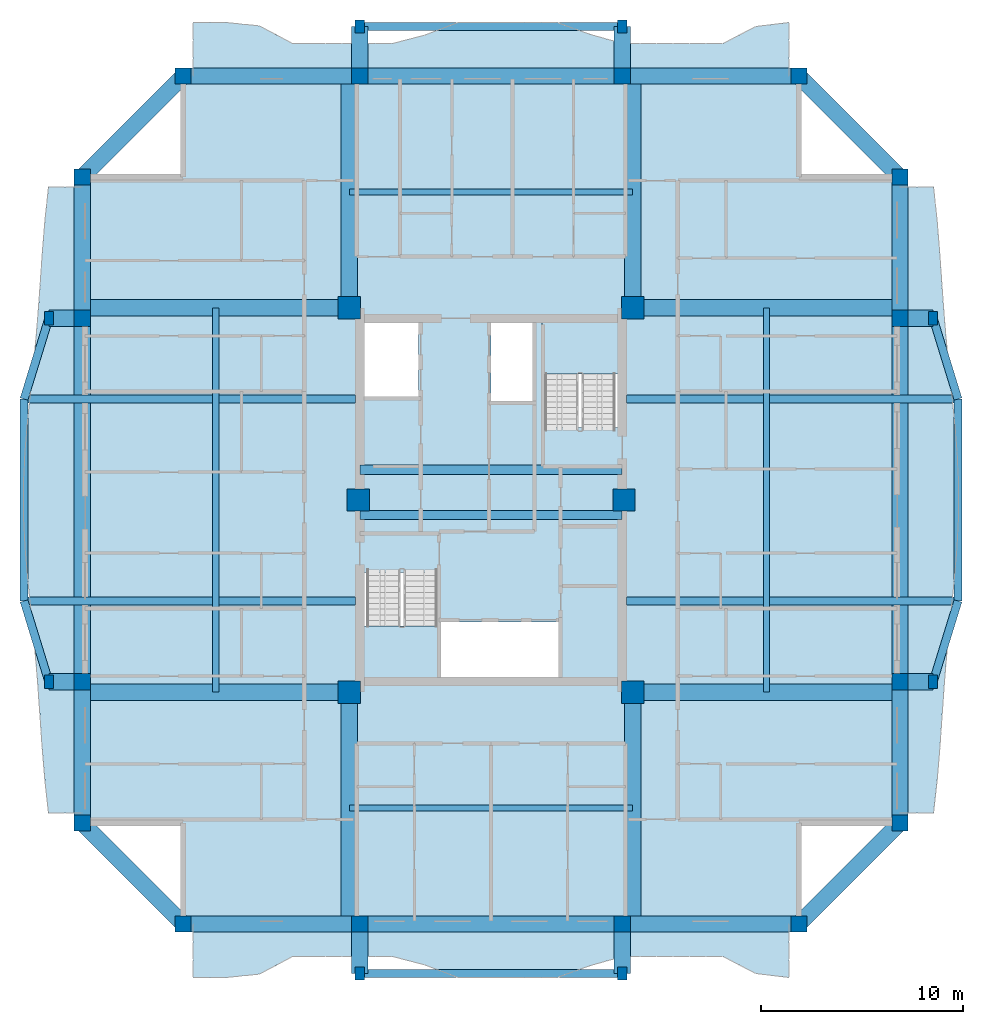
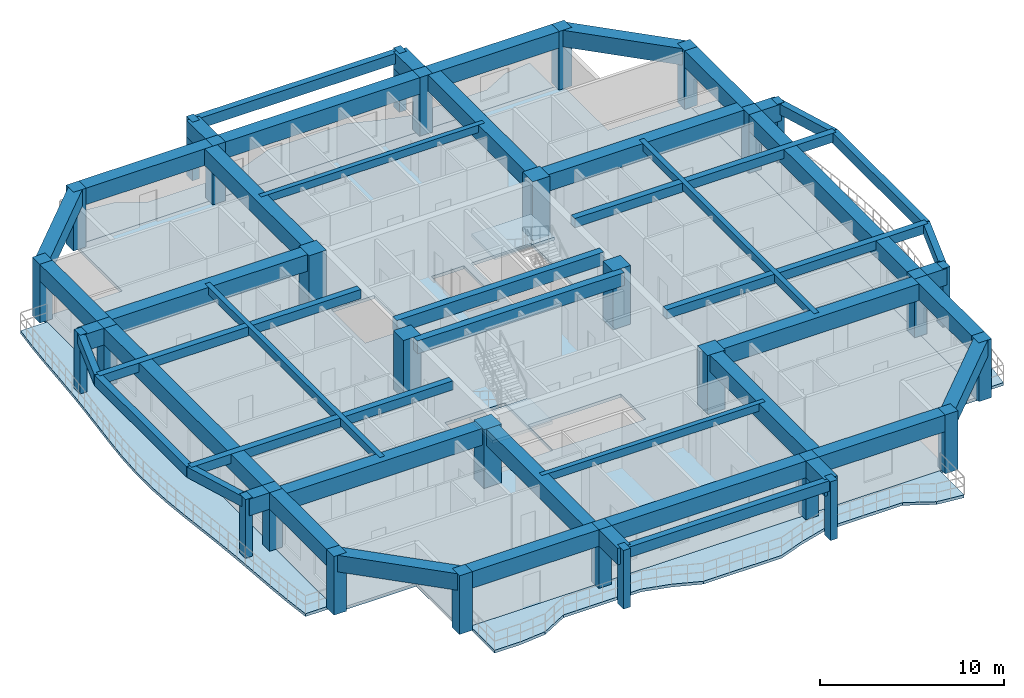
# One storey, part 1 of 13: 50 beams, 30 columns, 7 slabs, 2 elements without a shape of their own.
"""IFC4 building model written with IfcOpenShell, lengths in metres."""

from ifc_helpers import new_model, si_unit, direction, frame, origin, origin_2d, place, context, subcontext, project, spatial, polyline, rectangle, outline, extrude, source, transform, mapped, material, layer, layer_set, material_profile, profile_set, type_object, element, aggregate, save


model = new_model("IFC4")

# Units and contexts
model_context = context("Model", 3, precision=1e-05, world=origin(), true_north=direction((0.0, 1.0)))
body_context = subcontext(model_context, "Body", "Model", "MODEL_VIEW")
ifc_project = project(units=[si_unit("LENGTHUNIT", "METRE"), si_unit("AREAUNIT", "SQUARE_METRE"), si_unit("VOLUMEUNIT", "CUBIC_METRE"), si_unit("PLANEANGLEUNIT", "RADIAN"), si_unit("MASSUNIT", "GRAM", prefix="KILO")], contexts=[model_context])

# Site, building, storey
site_placement = place(None, origin())
site = spatial("IfcSite", under=ifc_project, at=site_placement, CompositionType="ELEMENT")
building_placement = place(site_placement, origin())
building = spatial("IfcBuilding", under=site, at=building_placement, Name="Saelheon Loggia Tower", CompositionType="ELEMENT")
storey_placement = place(building_placement, frame((0.0, 0.0, 172.89990234375)))
storey = spatial("IfcBuildingStorey", under=building, at=storey_placement, Name="L54", CompositionType="ELEMENT", Elevation=172.89990234375)

# Columns
ifc_material_1 = material(Name="Concrete C50/60", Category="concrete")
ifc_material_profile_1 = material_profile(ifc_material_1, rectangle(XDim=1.10009765625, YDim=1.10009765625, at=origin_2d()), Name="RC-1100x1100")
ifc_profile_set_1 = profile_set([ifc_material_profile_1], Name="Concrete C50/60")
column_type_1 = type_object("IfcColumnType", Name="Col_Core_RC1100", PredefinedType="COLUMN", material=ifc_profile_set_1)
shared_shape_1 = source(origin(), body_context, "Body", "SweptSolid", [
    extrude(rectangle(XDim=1.10009765625, YDim=1.10009765625, at=origin_2d()), origin(), (0.0, 0.0, 1.0), 3.900146484375),
])
for number, where, z_axis, x_axis, name in (
    (1, (30.97998046875, 17.47998046875, 0.0), (0.0, 0.0, 1.0), (1.0, 0.0, 0.0), "L54 Core Column CR-SW"),
    (2, (45.02001953125, 17.47998046875, 0.0), (0.0, 0.0, 1.0), (1.0, 0.0, 0.0), "L54 Core Column CR-SE"),
    (3, (30.97998046875, 36.52001953125, 0.0), (0.0, 0.0, 1.0), (1.0, 0.0, 0.0), "L54 Core Column CR-NW"),
    (4, (45.02001953125, 36.52001953125, 0.0), (0.0, 0.0, 1.0), (1.0, 0.0, 0.0), "L54 Core Column CR-NE"),
    (5, (31.419921875, 27.0, 0.0), (0.0, 0.0, 1.0), (1.0, 0.0, 0.0), "L54 Core Column CR-MW"),
    (6, (44.580078125, 27.0, 0.0), (0.0, 0.0, 1.0), (1.0, 0.0, 0.0), "L54 Core Column CR-ME"),
):
    element("IfcColumn", number, at=place(storey_placement, frame(where, z_axis=z_axis, x_axis=x_axis)), inside=storey, type_object=column_type_1, Name=name, PredefinedType="COLUMN", context=body_context, shape_type="MappedRepresentation", body=[
        mapped(shared_shape_1, transform((0.0, 0.0, 0.0), scale=1.0)),
    ])
ifc_material_2 = material(Name="Concrete C45/55", Category="concrete")
ifc_material_profile_2 = material_profile(ifc_material_2, rectangle(XDim=0.800048828125, YDim=0.800048828125, at=origin_2d()), Name="RC-800x800")
ifc_profile_set_2 = profile_set([ifc_material_profile_2], Name="Concrete C45/55")
column_type_2 = type_object("IfcColumnType", Name="Col_Perim_RC800", PredefinedType="COLUMN", material=ifc_profile_set_2)
shared_shape_2 = source(origin(), body_context, "Body", "SweptSolid", [
    extrude(rectangle(XDim=0.800048828125, YDim=0.800048828125, at=origin_2d()), origin(), (0.0, 0.0, 1.0), 3.900146484375),
])
for number, where, z_axis, x_axis, name in (
    (7, (22.75, 6.0, 0.0), (0.0, 0.0, 1.0), (1.0, 0.0, 0.0), "L54 Perimeter Column TP-S1"),
    (8, (31.5, 6.0, 0.0), (0.0, 0.0, 1.0), (1.0, 0.0, 0.0), "L54 Perimeter Column TP-SA"),
    (9, (44.5, 6.0, 0.0), (0.0, 0.0, 1.0), (1.0, 0.0, 0.0), "L54 Perimeter Column TP-SB"),
    (10, (53.25, 6.0, 0.0), (0.0, 0.0, 1.0), (1.0, 0.0, 0.0), "L54 Perimeter Column TP-S2"),
    (11, (58.25, 11.0, 0.0), (0.0, 0.0, 1.0), (1.0, 0.0, 0.0), "L54 Perimeter Column TP-E1"),
    (12, (58.25, 18.0, 0.0), (0.0, 0.0, 1.0), (1.0, 0.0, 0.0), "L54 Perimeter Column TP-EA"),
    (13, (58.25, 36.0, 0.0), (0.0, 0.0, 1.0), (1.0, 0.0, 0.0), "L54 Perimeter Column TP-EB"),
    (14, (58.25, 43.0, 0.0), (0.0, 0.0, 1.0), (1.0, 0.0, 0.0), "L54 Perimeter Column TP-E2"),
    (15, (53.25, 48.0, 0.0), (0.0, 0.0, 1.0), (1.0, 0.0, 0.0), "L54 Perimeter Column TP-N2"),
    (16, (44.5, 48.0, 0.0), (0.0, 0.0, 1.0), (1.0, 0.0, 0.0), "L54 Perimeter Column TP-NB"),
    (17, (31.5, 48.0, 0.0), (0.0, 0.0, 1.0), (1.0, 0.0, 0.0), "L54 Perimeter Column TP-NA"),
    (18, (22.75, 48.0, 0.0), (0.0, 0.0, 1.0), (1.0, 0.0, 0.0), "L54 Perimeter Column TP-N1"),
    (19, (17.75, 43.0, 0.0), (0.0, 0.0, 1.0), (1.0, 0.0, 0.0), "L54 Perimeter Column TP-W2"),
    (20, (17.75, 36.0, 0.0), (0.0, 0.0, 1.0), (1.0, 0.0, 0.0), "L54 Perimeter Column TP-WB"),
    (21, (17.75, 18.0, 0.0), (0.0, 0.0, 1.0), (1.0, 0.0, 0.0), "L54 Perimeter Column TP-WA"),
    (22, (17.75, 11.0, 0.0), (0.0, 0.0, 1.0), (1.0, 0.0, 0.0), "L54 Perimeter Column TP-W1"),
):
    element("IfcColumn", number, at=place(storey_placement, frame(where, z_axis=z_axis, x_axis=x_axis)), inside=storey, type_object=column_type_2, Name=name, PredefinedType="COLUMN", context=body_context, shape_type="MappedRepresentation", body=[
        mapped(shared_shape_2, transform((0.0, 0.0, 0.0), scale=1.0)),
    ])
ifc_material_3 = material(Name="Precast Concrete C45/55", Category="concrete")
ifc_material_profile_3 = material_profile(ifc_material_3, rectangle(XDim=0.449951171875, YDim=0.64990234375, at=origin_2d()), Name="RC-450x650")
ifc_profile_set_3 = profile_set([ifc_material_profile_3], Name="Precast Concrete C45/55")
column_type_3 = type_object("IfcColumnType", Name="Col_Loggia_Pilaster_650", PredefinedType="PILASTER", material=ifc_profile_set_3)
shared_shape_3 = source(origin(), body_context, "Body", "SweptSolid", [
    extrude(rectangle(XDim=0.449951171875, YDim=0.64990234375, at=origin_2d()), origin(), (0.0, 0.0, 1.0), 3.900146484375),
])
for number, where, z_axis, x_axis, name in (
    (23, (31.5, 3.550048828125, 0.0), (0.0, 0.0, 1.0), (1.0, 0.0, 0.0), "L54 Loggia Frame Pilaster LP-S1"),
    (24, (44.5, 3.550048828125, 0.0), (0.0, 0.0, 1.0), (1.0, 0.0, 0.0), "L54 Loggia Frame Pilaster LP-S2"),
    (25, (31.5, 50.449951171875, 0.0), (0.0, 0.0, 1.0), (1.0, 0.0, 0.0), "L54 Loggia Frame Pilaster LP-N1"),
    (26, (44.5, 50.449951171875, 0.0), (0.0, 0.0, 1.0), (1.0, 0.0, 0.0), "L54 Loggia Frame Pilaster LP-N2"),
    (27, (59.89990234375, 18.0, 0.0), (0.0, 0.0, 1.0), (1.0, 0.0, 0.0), "L54 Loggia Frame Pilaster LP-E1"),
    (28, (59.89990234375, 36.0, 0.0), (0.0, 0.0, 1.0), (1.0, 0.0, 0.0), "L54 Loggia Frame Pilaster LP-E2"),
    (29, (16.10009765625, 18.0, 0.0), (0.0, 0.0, 1.0), (1.0, 0.0, 0.0), "L54 Loggia Frame Pilaster LP-W1"),
    (30, (16.10009765625, 36.0, 0.0), (0.0, 0.0, 1.0), (1.0, 0.0, 0.0), "L54 Loggia Frame Pilaster LP-W2"),
):
    element("IfcColumn", number, at=place(storey_placement, frame(where, z_axis=z_axis, x_axis=x_axis)), inside=storey, type_object=column_type_3, Name=name, PredefinedType="PILASTER", context=body_context, shape_type="MappedRepresentation", body=[
        mapped(shared_shape_3, transform((0.0, 0.0, 0.0), scale=1.0)),
    ])

# Beams
ifc_material_profile_4 = material_profile(ifc_material_1, rectangle(XDim=0.449951171875, YDim=0.85009765625, at=origin_2d()), Name="RC-450x850")
ifc_profile_set_4 = profile_set([ifc_material_profile_4], Name="Concrete C50/60")
beam_type_1 = type_object("IfcBeamType", Name="Beam_CoreLintel_RC450x850", PredefinedType="LINTEL", material=ifc_profile_set_4)
shared_shape_4 = source(origin(), body_context, "Body", "SweptSolid", [
    extrude(rectangle(XDim=0.449951171875, YDim=0.85009765625, at=origin_2d()), origin(), (0.0, 0.0, 1.0), 13.0),
])
for number, where, z_axis, x_axis, name in (
    (31, (31.5, 26.25, 3.47509765625), (1.0, 0.0, 0.0), (0.0, 1.0, 0.0), "L54 Core Coupling Lintel 1"),
    (32, (31.5, 28.5, 3.47509765625), (1.0, 0.0, 0.0), (0.0, 1.0, 0.0), "L54 Core Coupling Lintel 2"),
):
    element("IfcBeam", number, at=place(storey_placement, frame(where, z_axis=z_axis, x_axis=x_axis)), inside=storey, type_object=beam_type_1, Name=name, PredefinedType="LINTEL", context=body_context, shape_type="MappedRepresentation", body=[
        mapped(shared_shape_4, transform((0.0, 0.0, 0.0), scale=1.0)),
    ])
ifc_material_4 = material(Name="Concrete C40/50", Category="concrete")
ifc_material_profile_5 = material_profile(ifc_material_4, rectangle(XDim=0.300048828125, YDim=0.5, at=origin_2d()), Name="RC-300x500")
ifc_profile_set_5 = profile_set([ifc_material_profile_5], Name="Concrete C40/50")
beam_type_2 = type_object("IfcBeamType", Name="Beam_Joist_RC300x500", PredefinedType="JOIST", material=ifc_profile_set_5)
shared_shape_5 = source(origin(), body_context, "Body", "SweptSolid", [
    extrude(rectangle(XDim=0.300048828125, YDim=0.5, at=origin_2d()), origin(), (0.0, 0.0, 1.0), 14.0400390625),
])
for number, where, z_axis, x_axis, name in (
    (33, (30.97998046875, 11.739990234375, 3.650146484375), (1.0, 0.0, 0.0), (0.0, 1.0, 0.0), "L54 South Floor Joist"),
    (34, (30.97998046875, 42.260009765625, 3.650146484375), (1.0, 0.0, 0.0), (0.0, 1.0, 0.0), "L54 North Floor Joist"),
):
    element("IfcBeam", number, at=place(storey_placement, frame(where, z_axis=z_axis, x_axis=x_axis)), inside=storey, type_object=beam_type_2, Name=name, PredefinedType="JOIST", context=body_context, shape_type="MappedRepresentation", body=[
        mapped(shared_shape_5, transform((0.0, 0.0, 0.0), scale=1.0)),
    ])
shared_shape_6 = source(origin(), body_context, "Body", "SweptSolid", [
    extrude(rectangle(XDim=0.300048828125, YDim=0.5, at=origin_2d()), origin(), (0.0, 0.0, 1.0), 19.0400390625),
])
for number, where, z_axis, x_axis, name in (
    (35, (24.364990234375, 17.47998046875, 3.650146484375), (0.0, 1.0, 0.0), (-1.0, 0.0, 0.0), "L54 West Floor Joist"),
    (36, (51.635009765625, 17.47998046875, 3.650146484375), (0.0, 1.0, 0.0), (-1.0, 0.0, 0.0), "L54 East Floor Joist"),
):
    element("IfcBeam", number, at=place(storey_placement, frame(where, z_axis=z_axis, x_axis=x_axis)), inside=storey, type_object=beam_type_2, Name=name, PredefinedType="JOIST", context=body_context, shape_type="MappedRepresentation", body=[
        mapped(shared_shape_6, transform((0.0, 0.0, 0.0), scale=1.0)),
    ])
ifc_material_profile_6 = material_profile(ifc_material_1, rectangle(XDim=0.800048828125, YDim=1.10009765625, at=origin_2d()), Name="RC-800x1100")
ifc_profile_set_6 = profile_set([ifc_material_profile_6], Name="Concrete C50/60")
beam_type_3 = type_object("IfcBeamType", Name="Beam_PerimSetback_RC800x1100", PredefinedType="BEAM", material=ifc_profile_set_6)
shared_shape_7 = source(origin(), body_context, "Body", "SweptSolid", [
    extrude(rectangle(XDim=0.800048828125, YDim=1.10009765625, at=origin_2d()), origin(), (0.0, 0.0, 1.0), 13.0),
])
for number, where, z_axis, x_axis, name in (
    (37, (31.5, 6.0, 3.35009765625), (1.0, 0.0, 0.0), (0.0, 1.0, 0.0), "L54 Perimeter Frame Girder 02"),
    (38, (44.5, 48.0, 3.35009765625), (-1.0, 0.0, 0.0), (0.0, -1.0, 0.0), "L54 Perimeter Frame Girder 10"),
):
    element("IfcBeam", number, at=place(storey_placement, frame(where, z_axis=z_axis, x_axis=x_axis)), inside=storey, type_object=beam_type_3, Name=name, PredefinedType="BEAM", context=body_context, shape_type="MappedRepresentation", body=[
        mapped(shared_shape_7, transform((0.0, 0.0, 0.0), scale=1.0)),
    ])
shared_shape_8 = source(origin(), body_context, "Body", "SweptSolid", [
    extrude(rectangle(XDim=0.800048828125, YDim=1.10009765625, at=origin_2d()), origin(), (0.0, 0.0, 1.0), 7.071044921875),
])
for number, where, z_axis, x_axis, name in (
    (39, (53.25, 6.0, 3.35009765625), (0.707106781187, 0.707106781187, 0.0), (-0.707106781187, 0.707106781187, 0.0), "L54 Perimeter Frame Girder 04"),
    (40, (58.25, 43.0, 3.35009765625), (-0.707106781187, 0.707106781187, 0.0), (-0.707106781187, -0.707106781187, 0.0), "L54 Perimeter Frame Girder 08"),
    (41, (22.75, 48.0, 3.35009765625), (-0.707106781187, -0.707106781187, 0.0), (0.707106781187, -0.707106781187, 0.0), "L54 Perimeter Frame Girder 12"),
    (42, (17.75, 11.0, 3.35009765625), (0.707106781187, -0.707106781187, 0.0), (0.707106781187, 0.707106781187, 0.0), "L54 Perimeter Frame Girder 16"),
):
    element("IfcBeam", number, at=place(storey_placement, frame(where, z_axis=z_axis, x_axis=x_axis)), inside=storey, type_object=beam_type_3, Name=name, PredefinedType="BEAM", context=body_context, shape_type="MappedRepresentation", body=[
        mapped(shared_shape_8, transform((0.0, 0.0, 0.0), scale=1.0)),
    ])
shared_shape_9 = source(origin(), body_context, "Body", "SweptSolid", [
    extrude(rectangle(XDim=0.800048828125, YDim=1.10009765625, at=origin_2d()), origin(), (0.0, 0.0, 1.0), 7.0),
])
for number, where, z_axis, x_axis, name in (
    (43, (58.25, 11.0, 3.35009765625), (0.0, 1.0, 0.0), (-1.0, 0.0, 0.0), "L54 Perimeter Frame Girder 05"),
    (44, (58.25, 36.0, 3.35009765625), (0.0, 1.0, 0.0), (-1.0, 0.0, 0.0), "L54 Perimeter Frame Girder 07"),
    (45, (17.75, 43.0, 3.35009765625), (0.0, -1.0, 0.0), (1.0, 0.0, 0.0), "L54 Perimeter Frame Girder 13"),
    (46, (17.75, 18.0, 3.35009765625), (0.0, -1.0, 0.0), (1.0, 0.0, 0.0), "L54 Perimeter Frame Girder 15"),
):
    element("IfcBeam", number, at=place(storey_placement, frame(where, z_axis=z_axis, x_axis=x_axis)), inside=storey, type_object=beam_type_3, Name=name, PredefinedType="BEAM", context=body_context, shape_type="MappedRepresentation", body=[
        mapped(shared_shape_9, transform((0.0, 0.0, 0.0), scale=1.0)),
    ])
shared_shape_10 = source(origin(), body_context, "Body", "SweptSolid", [
    extrude(rectangle(XDim=0.800048828125, YDim=1.10009765625, at=origin_2d()), origin(), (0.0, 0.0, 1.0), 18.0),
])
for number, where, z_axis, x_axis, name in (
    (47, (58.25, 18.0, 3.35009765625), (0.0, 1.0, 0.0), (-1.0, 0.0, 0.0), "L54 Perimeter Frame Girder 06"),
    (48, (17.75, 36.0, 3.35009765625), (0.0, -1.0, 0.0), (1.0, 0.0, 0.0), "L54 Perimeter Frame Girder 14"),
):
    element("IfcBeam", number, at=place(storey_placement, frame(where, z_axis=z_axis, x_axis=x_axis)), inside=storey, type_object=beam_type_3, Name=name, PredefinedType="BEAM", context=body_context, shape_type="MappedRepresentation", body=[
        mapped(shared_shape_10, transform((0.0, 0.0, 0.0), scale=1.0)),
    ])
ifc_material_profile_7 = material_profile(ifc_material_1, rectangle(XDim=0.800048828125, YDim=1.10009765625, at=origin_2d()), Name="RC-800x1100")
ifc_profile_set_7 = profile_set([ifc_material_profile_7], Name="Concrete C50/60")
beam_type_4 = type_object("IfcBeamType", Name="Beam_SetbackTransfer_RC800x1100", PredefinedType="BEAM", material=ifc_profile_set_7)
shared_shape_11 = source(origin(), body_context, "Body", "SweptSolid", [
    extrude(rectangle(XDim=0.800048828125, YDim=1.10009765625, at=origin_2d()), origin(), (0.0, 0.0, 1.0), 11.47998046875),
])
for number, where, z_axis, x_axis, name in (
    (49, (30.97998046875, 17.47998046875, 3.35009765625), (0.0, -1.0, 0.0), (1.0, 0.0, 0.0), "L54 Radial Floor Girder RAD-SW-S"),
    (50, (45.02001953125, 17.47998046875, 3.35009765625), (0.0, -1.0, 0.0), (1.0, 0.0, 0.0), "L54 Radial Floor Girder RAD-SE-S"),
    (51, (30.97998046875, 36.52001953125, 3.35009765625), (0.0, 1.0, 0.0), (-1.0, 0.0, 0.0), "L54 Radial Floor Girder RAD-NW-N"),
    (52, (45.02001953125, 36.52001953125, 3.35009765625), (0.0, 1.0, 0.0), (-1.0, 0.0, 0.0), "L54 Radial Floor Girder RAD-NE-N"),
):
    element("IfcBeam", number, at=place(storey_placement, frame(where, z_axis=z_axis, x_axis=x_axis)), inside=storey, type_object=beam_type_4, Name=name, PredefinedType="BEAM", context=body_context, shape_type="MappedRepresentation", body=[
        mapped(shared_shape_11, transform((0.0, 0.0, 0.0), scale=1.0)),
    ])
shared_shape_12 = source(origin(), body_context, "Body", "SweptSolid", [
    extrude(rectangle(XDim=0.800048828125, YDim=1.10009765625, at=origin_2d()), origin(), (0.0, 0.0, 1.0), 2.449951171875),
])
for number, where, z_axis, x_axis, name in (
    (53, (31.5, 6.0, 3.35009765625), (0.0, -1.0, 0.0), (1.0, 0.0, 0.0), "L54 Loggia Frame Tie Beam LP-S1"),
    (54, (44.5, 6.0, 3.35009765625), (0.0, -1.0, 0.0), (1.0, 0.0, 0.0), "L54 Loggia Frame Tie Beam LP-S2"),
    (55, (31.5, 48.0, 3.35009765625), (0.0, 1.0, 0.0), (-1.0, 0.0, 0.0), "L54 Loggia Frame Tie Beam LP-N1"),
    (56, (44.5, 48.0, 3.35009765625), (0.0, 1.0, 0.0), (-1.0, 0.0, 0.0), "L54 Loggia Frame Tie Beam LP-N2"),
):
    element("IfcBeam", number, at=place(storey_placement, frame(where, z_axis=z_axis, x_axis=x_axis)), inside=storey, type_object=beam_type_3, Name=name, PredefinedType="BEAM", context=body_context, shape_type="MappedRepresentation", body=[
        mapped(shared_shape_12, transform((0.0, 0.0, 0.0), scale=1.0)),
    ])
shared_shape_13 = source(origin(), body_context, "Body", "SweptSolid", [
    extrude(rectangle(XDim=0.800048828125, YDim=1.10009765625, at=origin_2d()), origin(), (0.0, 0.0, 1.0), 1.64990234375),
])
for number, where, z_axis, x_axis, name in (
    (57, (58.25, 18.0, 3.35009765625), (1.0, 0.0, 0.0), (0.0, 1.0, 0.0), "L54 Loggia Frame Tie Beam LP-E1"),
    (58, (58.25, 36.0, 3.35009765625), (1.0, 0.0, 0.0), (0.0, 1.0, 0.0), "L54 Loggia Frame Tie Beam LP-E2"),
    (59, (17.75, 18.0, 3.35009765625), (-1.0, 0.0, 0.0), (0.0, -1.0, 0.0), "L54 Loggia Frame Tie Beam LP-W1"),
    (60, (17.75, 36.0, 3.35009765625), (-1.0, 0.0, 0.0), (0.0, -1.0, 0.0), "L54 Loggia Frame Tie Beam LP-W2"),
):
    element("IfcBeam", number, at=place(storey_placement, frame(where, z_axis=z_axis, x_axis=x_axis)), inside=storey, type_object=beam_type_3, Name=name, PredefinedType="BEAM", context=body_context, shape_type="MappedRepresentation", body=[
        mapped(shared_shape_13, transform((0.0, 0.0, 0.0), scale=1.0)),
    ])
shared_shape_14 = source(origin(), body_context, "Body", "SweptSolid", [
    extrude(rectangle(XDim=0.800048828125, YDim=1.10009765625, at=origin_2d()), origin(), (0.0, 0.0, 1.0), 8.75),
])
for number, where, z_axis, x_axis, name in (
    (61, (22.75, 6.0, 3.35009765625), (1.0, 0.0, 0.0), (0.0, 1.0, 0.0), "L54 Perimeter Frame Girder 01"),
    (62, (44.5, 6.0, 3.35009765625), (1.0, 0.0, 0.0), (0.0, 1.0, 0.0), "L54 Perimeter Frame Girder 03"),
    (63, (53.25, 48.0, 3.35009765625), (-1.0, 0.0, 0.0), (0.0, -1.0, 0.0), "L54 Perimeter Frame Girder 09"),
    (64, (31.5, 48.0, 3.35009765625), (-1.0, 0.0, 0.0), (0.0, -1.0, 0.0), "L54 Perimeter Frame Girder 11"),
):
    element("IfcBeam", number, at=place(storey_placement, frame(where, z_axis=z_axis, x_axis=x_axis)), inside=storey, type_object=beam_type_3, Name=name, PredefinedType="BEAM", context=body_context, shape_type="MappedRepresentation", body=[
        mapped(shared_shape_14, transform((0.0, 0.0, 0.0), scale=1.0)),
    ])
shared_shape_15 = source(origin(), body_context, "Body", "SweptSolid", [
    extrude(rectangle(XDim=0.800048828125, YDim=1.10009765625, at=origin_2d()), origin(), (0.0, 0.0, 1.0), 13.22998046875),
])
for number, where, z_axis, x_axis, name in (
    (65, (30.97998046875, 17.47998046875, 3.35009765625), (-1.0, 0.0, 0.0), (0.0, -1.0, 0.0), "L54 Radial Floor Girder RAD-SW-W"),
    (66, (30.97998046875, 36.52001953125, 3.35009765625), (-1.0, 0.0, 0.0), (0.0, -1.0, 0.0), "L54 Radial Floor Girder RAD-NW-W"),
    (67, (45.02001953125, 17.47998046875, 3.35009765625), (1.0, 0.0, 0.0), (0.0, 1.0, 0.0), "L54 Radial Floor Girder RAD-SE-E"),
    (68, (45.02001953125, 36.52001953125, 3.35009765625), (1.0, 0.0, 0.0), (0.0, 1.0, 0.0), "L54 Radial Floor Girder RAD-NE-E"),
):
    element("IfcBeam", number, at=place(storey_placement, frame(where, z_axis=z_axis, x_axis=x_axis)), inside=storey, type_object=beam_type_4, Name=name, PredefinedType="BEAM", context=body_context, shape_type="MappedRepresentation", body=[
        mapped(shared_shape_15, transform((0.0, 0.0, 0.0), scale=1.0)),
    ])
ifc_material_profile_8 = material_profile(ifc_material_3, rectangle(XDim=0.39990234375, YDim=0.699951171875, at=origin_2d()), Name="RC-400x700")
ifc_profile_set_8 = profile_set([ifc_material_profile_8], Name="Precast Concrete C45/55")
beam_type_5 = type_object("IfcBeamType", Name="Beam_LoggiaSpandrel_RC400x700", PredefinedType="SPANDREL", material=ifc_profile_set_8)
shared_shape_16 = source(origin(), body_context, "Body", "SweptSolid", [
    extrude(rectangle(XDim=0.39990234375, YDim=0.699951171875, at=origin_2d()), origin(), (0.0, 0.0, 1.0), 13.0),
])
for number, where, z_axis, x_axis, name in (
    (69, (31.5, 3.550048828125, 3.550048828125), (1.0, 0.0, 0.0), (0.0, 1.0, 0.0), "L54 Loggia Spandrel Beam S"),
    (70, (31.5, 50.449951171875, 3.550048828125), (1.0, 0.0, 0.0), (0.0, 1.0, 0.0), "L54 Loggia Spandrel Beam N"),
):
    element("IfcBeam", number, at=place(storey_placement, frame(where, z_axis=z_axis, x_axis=x_axis)), inside=storey, type_object=beam_type_5, Name=name, PredefinedType="SPANDREL", context=body_context, shape_type="MappedRepresentation", body=[
        mapped(shared_shape_16, transform((0.0, 0.0, 0.0), scale=1.0)),
    ])
ifc_material_profile_9 = material_profile(ifc_material_3, rectangle(XDim=0.39990234375, YDim=0.60009765625, at=origin_2d()), Name="RC-400x600")
ifc_profile_set_9 = profile_set([ifc_material_profile_9], Name="Precast Concrete C45/55")
beam_type_6 = type_object("IfcBeamType", Name="Beam_LoggiaTie_RC400x600", PredefinedType="BEAM", material=ifc_profile_set_9)
shared_shape_17 = source(origin(), body_context, "Body", "SweptSolid", [
    extrude(rectangle(XDim=0.39990234375, YDim=0.60009765625, at=origin_2d()), origin(), (0.0, 0.0, 1.0), 16.409912109375),
])
for number, where, z_axis, x_axis, name in (
    (71, (44.719970703125, 22.0, 3.60009765625), (1.0, 0.0, 0.0), (0.0, 1.0, 0.0), "L54 Curved Facade Outrigger Beam E 1"),
    (72, (44.719970703125, 32.0, 3.60009765625), (1.0, 0.0, 0.0), (0.0, 1.0, 0.0), "L54 Curved Facade Outrigger Beam E 2"),
    (73, (31.280029296875, 22.0, 3.60009765625), (-1.0, 0.0, 0.0), (0.0, -1.0, 0.0), "L54 Curved Facade Outrigger Beam W 1"),
    (74, (31.280029296875, 32.0, 3.60009765625), (-1.0, 0.0, 0.0), (0.0, -1.0, 0.0), "L54 Curved Facade Outrigger Beam W 2"),
):
    element("IfcBeam", number, at=place(storey_placement, frame(where, z_axis=z_axis, x_axis=x_axis)), inside=storey, type_object=beam_type_6, Name=name, PredefinedType="BEAM", context=body_context, shape_type="MappedRepresentation", body=[
        mapped(shared_shape_17, transform((0.0, 0.0, 0.0), scale=1.0)),
    ])
shared_shape_18 = source(origin(), body_context, "Body", "SweptSolid", [
    extrude(rectangle(XDim=0.39990234375, YDim=0.699951171875, at=origin_2d()), origin(), (0.0, 0.0, 1.0), 4.184814453125),
])
for number, where, z_axis, x_axis, name in (
    (75, (59.89990234375, 18.0, 3.550048828125), (0.293913664135, 0.955831971653, 0.0), (-0.955831971653, 0.293913664135, 0.0), "L54 Curved Loggia Spandrel E 1"),
    (76, (61.1298828125, 32.0, 3.550048828125), (-0.293913664135, 0.955831971653, 0.0), (-0.955831971653, -0.293913664135, 0.0), "L54 Curved Loggia Spandrel E 3"),
    (77, (16.10009765625, 18.0, 3.550048828125), (-0.293913664135, 0.955831971653, 0.0), (-0.955831971653, -0.293913664135, 0.0), "L54 Curved Loggia Spandrel W 1"),
    (78, (14.8701171875, 32.0, 3.550048828125), (0.293913664135, 0.955831971653, 0.0), (-0.955831971653, 0.293913664135, 0.0), "L54 Curved Loggia Spandrel W 3"),
):
    element("IfcBeam", number, at=place(storey_placement, frame(where, z_axis=z_axis, x_axis=x_axis)), inside=storey, type_object=beam_type_5, Name=name, PredefinedType="SPANDREL", context=body_context, shape_type="MappedRepresentation", body=[
        mapped(shared_shape_18, transform((0.0, 0.0, 0.0), scale=1.0)),
    ])
shared_shape_19 = source(origin(), body_context, "Body", "SweptSolid", [
    extrude(rectangle(XDim=0.39990234375, YDim=0.699951171875, at=origin_2d()), origin(), (0.0, 0.0, 1.0), 10.0),
])
for number, where, z_axis, x_axis, name in (
    (79, (61.1298828125, 22.0, 3.550048828125), (0.0, 1.0, 0.0), (-1.0, 0.0, 0.0), "L54 Curved Loggia Spandrel E 2"),
    (80, (14.8701171875, 22.0, 3.550048828125), (0.0, 1.0, 0.0), (-1.0, 0.0, 0.0), "L54 Curved Loggia Spandrel W 2"),
):
    element("IfcBeam", number, at=place(storey_placement, frame(where, z_axis=z_axis, x_axis=x_axis)), inside=storey, type_object=beam_type_5, Name=name, PredefinedType="SPANDREL", context=body_context, shape_type="MappedRepresentation", body=[
        mapped(shared_shape_19, transform((0.0, 0.0, 0.0), scale=1.0)),
    ])

# Slabs
ifc_layer_1 = layer(ifc_material_3, 0.18994140625)
ifc_layer_set_1 = layer_set([ifc_layer_1], Name="Precast Concrete C45/55")
slab_type_1 = type_object("IfcSlabType", Name="Slab_Loggia_Ext_190", PredefinedType="FLOOR", material=ifc_layer_set_1)
slab_1_placement = place(storey_placement, frame((0.0, 0.0, -0.18994140625)))
element("IfcSlab", 81, at=slab_1_placement, inside=storey, type_object=slab_type_1, Name="L54 Loggia Balcony Slab S", PredefinedType="FLOOR", context=body_context, shape_type="SweptSolid", body=[
    extrude(outline(polyline([(23.25, 3.35009765625), (24.888916015625, 3.35009765625), (26.52783203125, 3.51513671875), (28.166748046875, 4.387451171875), (29.8056640625, 4.39990234375), (31.4443359375, 4.39990234375), (33.083251953125, 4.39990234375), (34.72216796875, 3.9736328125), (36.361083984375, 3.35009765625), (38.0, 3.35009765625), (39.638916015625, 3.35009765625), (41.27783203125, 3.35009765625), (42.916748046875, 3.940673828125), (44.5556640625, 4.39990234375), (46.1943359375, 4.39990234375), (47.833251953125, 4.39990234375), (49.47216796875, 4.39990234375), (51.111083984375, 3.547607421875), (52.75, 3.35009765625), (52.75, 6.0), (23.25, 6.0), (23.25, 3.35009765625)])), origin(), (0.0, 0.0, 1.0), 0.18994140625),
])
slab_2_placement = place(storey_placement, frame((0.0, 0.0, -0.18994140625)))
element("IfcSlab", 82, at=slab_2_placement, inside=storey, type_object=slab_type_1, Name="L54 Loggia Balcony Slab N", PredefinedType="FLOOR", context=body_context, shape_type="SweptSolid", body=[
    extrude(outline(polyline([(23.25, 48.0), (52.75, 48.0), (52.75, 50.64990234375), (51.111083984375, 50.452392578125), (49.47216796875, 49.60009765625), (47.833251953125, 49.60009765625), (46.1943359375, 49.60009765625), (44.5556640625, 49.60009765625), (42.916748046875, 50.059326171875), (41.27783203125, 50.64990234375), (39.638916015625, 50.64990234375), (38.0, 50.64990234375), (36.361083984375, 50.64990234375), (34.72216796875, 50.0263671875), (33.083251953125, 49.60009765625), (31.4443359375, 49.60009765625), (29.8056640625, 49.60009765625), (28.166748046875, 49.612548828125), (26.52783203125, 50.48486328125), (24.888916015625, 50.64990234375), (23.25, 50.64990234375), (23.25, 48.0)])), origin(), (0.0, 0.0, 1.0), 0.18994140625),
])
slab_3_placement = place(storey_placement, frame((0.0, 0.0, -0.18994140625)))
element("IfcSlab", 83, at=slab_3_placement, inside=storey, type_object=slab_type_1, Name="L54 Loggia Balcony Slab E", PredefinedType="FLOOR", context=body_context, shape_type="SweptSolid", body=[
    extrude(outline(polyline([(58.25, 11.5), (59.919921875, 11.5), (60.100830078125, 13.131591796875), (60.236328125, 14.76318359375), (60.34814453125, 16.394775390625), (60.463134765625, 18.0263671875), (60.600830078125, 19.657958984375), (60.762939453125, 21.28955078125), (60.931396484375, 22.921142578125), (61.073974609375, 24.552490234375), (61.15771484375, 26.18408203125), (61.160888671875, 27.81591796875), (61.08203125, 29.447509765625), (60.94091796875, 31.078857421875), (60.770263671875, 32.71044921875), (60.602783203125, 34.342041015625), (60.458740234375, 35.9736328125), (60.33935546875, 37.605224609375), (60.226806640625, 39.23681640625), (60.094482421875, 40.868408203125), (59.919677734375, 42.5), (58.25, 42.5), (58.25, 11.5)])), origin(), (0.0, 0.0, 1.0), 0.18994140625),
])
slab_4_placement = place(storey_placement, frame((0.0, 0.0, -0.18994140625)))
element("IfcSlab", 84, at=slab_4_placement, inside=storey, type_object=slab_type_1, Name="L54 Loggia Balcony Slab W", PredefinedType="FLOOR", context=body_context, shape_type="SweptSolid", body=[
    extrude(outline(polyline([(17.75, 11.5), (17.75, 42.5), (16.080322265625, 42.5), (15.905517578125, 40.868408203125), (15.773193359375, 39.23681640625), (15.66064453125, 37.605224609375), (15.541259765625, 35.9736328125), (15.397216796875, 34.342041015625), (15.229736328125, 32.71044921875), (15.05908203125, 31.078857421875), (14.91796875, 29.447509765625), (14.839111328125, 27.81591796875), (14.84228515625, 26.18408203125), (14.926025390625, 24.552490234375), (15.068603515625, 22.921142578125), (15.237060546875, 21.28955078125), (15.399169921875, 19.657958984375), (15.536865234375, 18.0263671875), (15.65185546875, 16.394775390625), (15.763671875, 14.76318359375), (15.899169921875, 13.131591796875), (16.080078125, 11.5), (17.75, 11.5)])), origin(), (0.0, 0.0, 1.0), 0.18994140625),
])

# Stair, slab
stair_type = type_object("IfcStairType", Name="Stair_Escape_Core", PredefinedType="HALF_TURN_STAIR", material=ifc_material_4)
stair_1_placement = place(storey_placement, origin())
stair_1 = element("IfcStair", 85, at=stair_1_placement, inside=storey, type_object=stair_type, Name="L54 Special Escape Stair ST1", PredefinedType="HALF_TURN_STAIR")
ifc_layer_2 = layer(ifc_material_4, 0.199951171875)
ifc_layer_set_2 = layer_set([ifc_layer_2], Name="Concrete C40/50")
slab_type_2 = type_object("IfcSlabType", Name="Slab_StairLanding_ST1", PredefinedType="LANDING", material=ifc_layer_set_2)
slab_5_placement = place(storey_placement, frame((0.0, 0.0, 1.75)))
slab_5 = element("IfcSlab", 86, at=slab_5_placement, type_object=slab_type_2, Name="ST1 landing 1", PredefinedType="LANDING", context=body_context, shape_type="SweptSolid", body=[
    extrude(outline(polyline([(31.7099609375, 20.75), (31.7099609375, 18.2099609375), (35.469970703125, 18.2099609375), (35.469970703125, 20.75), (31.7099609375, 20.75)])), origin(), (0.0, 0.0, 1.0), 0.2001953125),
])
aggregate(stair_1, [slab_5])

stair_2_placement = place(storey_placement, origin())
stair_2 = element("IfcStair", 87, at=stair_2_placement, inside=storey, type_object=stair_type, Name="L54 Special Escape Stair ST2", PredefinedType="HALF_TURN_STAIR")
ifc_layer_3 = layer(ifc_material_4, 0.199951171875)
ifc_layer_set_3 = layer_set([ifc_layer_3], Name="Concrete C40/50")
slab_type_3 = type_object("IfcSlabType", Name="Slab_StairLanding_ST2", PredefinedType="LANDING", material=ifc_layer_set_3)
slab_6_placement = place(storey_placement, frame((0.0, 0.0, 1.75)))
slab_6 = element("IfcSlab", 88, at=slab_6_placement, type_object=slab_type_3, Name="ST2 landing 1", PredefinedType="LANDING", context=body_context, shape_type="SweptSolid", body=[
    extrude(outline(polyline([(44.2900390625, 33.25), (44.2900390625, 35.7900390625), (40.530029296875, 35.7900390625), (40.530029296875, 33.25), (44.2900390625, 33.25)])), origin(), (0.0, 0.0, 1.0), 0.2001953125),
])
aggregate(stair_2, [slab_6])

# Slab
ifc_layer_4 = layer(ifc_material_4, 0.2099609375)
ifc_layer_set_4 = layer_set([ifc_layer_4], Name="Concrete C40/50")
slab_type_4 = type_object("IfcSlabType", Name="Slab_Tower_210", PredefinedType="FLOOR", material=ifc_layer_set_4)
slab_7_placement = place(storey_placement, frame((0.0, 0.0, -0.2099609375)))
element("IfcSlab", 89, at=slab_7_placement, inside=storey, type_object=slab_type_4, Name="L54 Tower Floor Slab", PredefinedType="FLOOR", context=body_context, shape_type="SweptSolid", body=[
    extrude(outline(polyline([(22.75, 6.0), (53.25, 6.0), (53.25, 11.0), (58.25, 11.0), (58.25, 43.0), (53.25, 43.0), (53.25, 48.0), (22.75, 48.0), (22.75, 43.0), (17.75, 43.0), (17.75, 11.0), (22.75, 11.0), (22.75, 6.0)]), holes=[polyline([(31.699951171875, 23.409912109375), (31.699951171875, 18.199951171875), (35.47998046875, 18.199951171875), (35.47998046875, 23.409912109375), (31.699951171875, 23.409912109375)]), polyline([(44.300048828125, 30.590087890625), (44.300048828125, 35.800048828125), (40.52001953125, 35.800048828125), (40.52001953125, 30.590087890625), (44.300048828125, 30.590087890625)]), polyline([(35.530029296875, 18.22509765625), (41.35009765625, 18.22509765625), (41.35009765625, 20.9599609375), (35.530029296875, 20.9599609375), (35.530029296875, 18.22509765625)]), polyline([(31.72509765625, 32.1201171875), (34.419921875, 32.1201171875), (34.419921875, 35.77490234375), (31.72509765625, 35.77490234375), (31.72509765625, 32.1201171875)]), polyline([(38.0, 31.89990234375), (40.050048828125, 31.89990234375), (40.050048828125, 35.77490234375), (38.0, 35.77490234375), (38.0, 31.89990234375)])]), origin(), (0.0, 0.0, 1.0), 0.2099609375),
])

save(model, "model.ifc")
